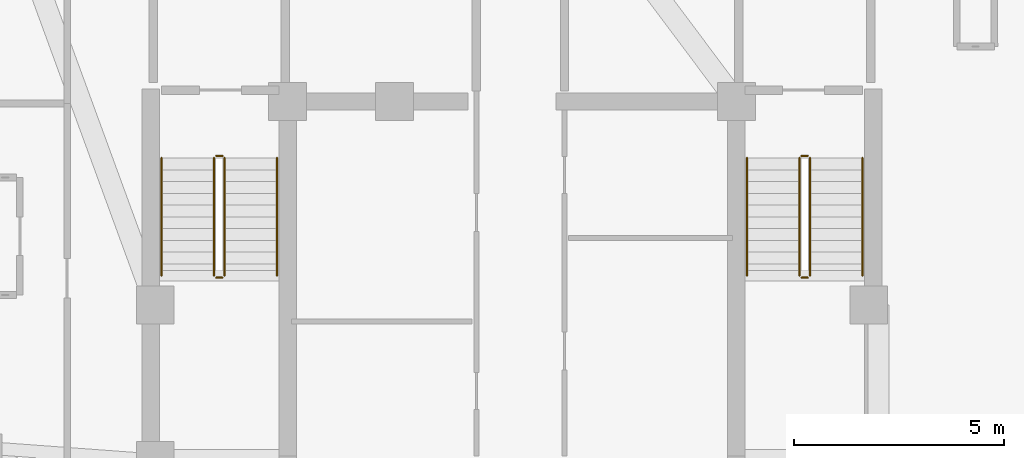
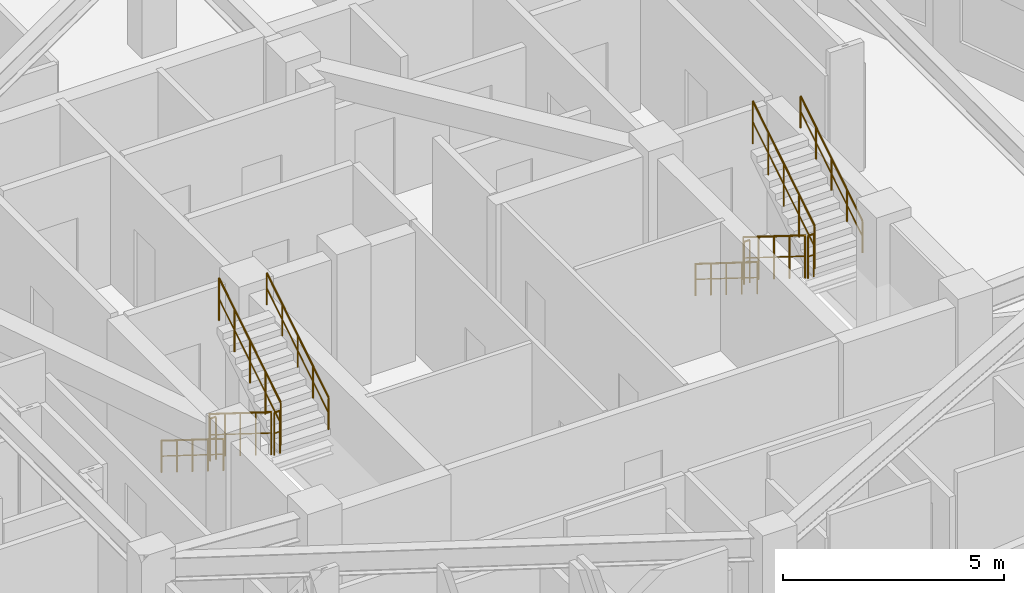
# One storey, part 13 of 13: 12 railings.
"""IFC4 building model written with IfcOpenShell, lengths in metres."""

from ifc_helpers import new_model, si_unit, direction, frame, origin, origin_2d, place, context, subcontext, project, spatial, circle, extrude, material, type_object, element, save


model = new_model("IFC4")

# Units and contexts
model_context = context("Model", 3, precision=1e-05, world=origin(), true_north=direction((0.0, 1.0)))
body_context = subcontext(model_context, "Body", "Model", "MODEL_VIEW")
ifc_project = project(units=[si_unit("LENGTHUNIT", "METRE"), si_unit("AREAUNIT", "SQUARE_METRE"), si_unit("VOLUMEUNIT", "CUBIC_METRE"), si_unit("PLANEANGLEUNIT", "RADIAN"), si_unit("MASSUNIT", "GRAM", prefix="KILO")], contexts=[model_context])

# Site, building, storey
site_placement = place(None, origin())
site = spatial("IfcSite", under=ifc_project, at=site_placement, CompositionType="ELEMENT")
building_placement = place(site_placement, origin())
building = spatial("IfcBuilding", under=site, at=building_placement, Name="Miruveldt Soraemaru", CompositionType="ELEMENT")
storey_placement = place(building_placement, frame((0.0, 0.0, 259.699951171875)))
storey = spatial("IfcBuildingStorey", under=building, at=storey_placement, Name="L71", CompositionType="ELEMENT", Elevation=259.699951171875)

# Railings
ifc_material = material(Name="Steel S355 (355 MPa)", Category="steel")
railing_type_1 = type_object("IfcRailingType", Name="RAIL-HR-900", PredefinedType="HANDRAIL", material=ifc_material)
railing_1_placement = place(storey_placement, frame((35.64990234375, 42.699951171875, 0.175048828125)))
element("IfcRailing", 1, at=railing_1_placement, inside=storey, type_object=railing_type_1, Name="L71 ST-1 stair handrail 1", PredefinedType="HANDRAIL", context=body_context, shape_type="SweptSolid", body=[
    extrude(circle(Radius=0.02392578125, at=origin_2d()), frame((0.0, 0.0, 0.8759765625), z_axis=(0.0, -0.848002457836, 0.529992293815), x_axis=(1.0, 0.0, 0.0)), (0.0, 0.0, 1.0), 3.302001953125),
    extrude(circle(Radius=0.01611328125, at=origin_2d()), frame((0.0, 0.0, 0.449951171875), z_axis=(0.0, -0.848002457836, 0.529992293815), x_axis=(1.0, 0.0, 0.0)), (0.0, 0.0, 1.0), 3.302001953125),
    extrude(circle(Radius=0.02099609375, at=origin_2d()), origin(), (0.0, 0.0, 1.0), 0.851806640625),
    extrude(circle(Radius=0.02099609375, at=origin_2d()), frame((0.0, -0.699951171875, 0.4375)), (0.0, 0.0, 1.0), 0.851806640625),
    extrude(circle(Radius=0.02099609375, at=origin_2d()), frame((0.0, -1.39990234375, 0.875)), (0.0, 0.0, 1.0), 0.851806640625),
    extrude(circle(Radius=0.02099609375, at=origin_2d()), frame((0.0, -2.10009765625, 1.3125)), (0.0, 0.0, 1.0), 0.851806640625),
    extrude(circle(Radius=0.02099609375, at=origin_2d()), frame((0.0, -2.800048828125, 1.75)), (0.0, 0.0, 1.0), 0.851806640625),
])
railing_2_placement = place(storey_placement, frame((38.39990234375, 39.89990234375, 2.10009765625)))
element("IfcRailing", 2, at=railing_2_placement, inside=storey, type_object=railing_type_1, Name="L71 ST-1 stair handrail 2", PredefinedType="HANDRAIL", context=body_context, shape_type="SweptSolid", body=[
    extrude(circle(Radius=0.02392578125, at=origin_2d()), frame((0.0, 0.0, 0.8759765625), z_axis=(0.0, 0.848002457836, 0.529992293815), x_axis=(-1.0, 0.0, 0.0)), (0.0, 0.0, 1.0), 3.302001953125),
    extrude(circle(Radius=0.01611328125, at=origin_2d()), frame((0.0, 0.0, 0.449951171875), z_axis=(0.0, 0.848002457836, 0.529992293815), x_axis=(-1.0, 0.0, 0.0)), (0.0, 0.0, 1.0), 3.302001953125),
    extrude(circle(Radius=0.02099609375, at=origin_2d()), origin(), (0.0, 0.0, 1.0), 0.851806640625),
    extrude(circle(Radius=0.02099609375, at=origin_2d()), frame((0.0, 0.699951171875, 0.4375)), (0.0, 0.0, 1.0), 0.851806640625),
    extrude(circle(Radius=0.02099609375, at=origin_2d()), frame((0.0, 1.39990234375, 0.875)), (0.0, 0.0, 1.0), 0.851806640625),
    extrude(circle(Radius=0.02099609375, at=origin_2d()), frame((0.0, 2.10009765625, 1.3125)), (0.0, 0.0, 1.0), 0.851806640625),
    extrude(circle(Radius=0.02099609375, at=origin_2d()), frame((0.0, 2.800048828125, 1.75)), (0.0, 0.0, 1.0), 0.851806640625),
])
railing_3_placement = place(storey_placement, frame((49.60009765625, 42.699951171875, 0.175048828125)))
element("IfcRailing", 3, at=railing_3_placement, inside=storey, type_object=railing_type_1, Name="L71 ST-2 stair handrail 1", PredefinedType="HANDRAIL", context=body_context, shape_type="SweptSolid", body=[
    extrude(circle(Radius=0.02392578125, at=origin_2d()), frame((0.0, 0.0, 0.8759765625), z_axis=(0.0, -0.848002457836, 0.529992293815), x_axis=(1.0, 0.0, 0.0)), (0.0, 0.0, 1.0), 3.302001953125),
    extrude(circle(Radius=0.01611328125, at=origin_2d()), frame((0.0, 0.0, 0.449951171875), z_axis=(0.0, -0.848002457836, 0.529992293815), x_axis=(1.0, 0.0, 0.0)), (0.0, 0.0, 1.0), 3.302001953125),
    extrude(circle(Radius=0.02099609375, at=origin_2d()), origin(), (0.0, 0.0, 1.0), 0.851806640625),
    extrude(circle(Radius=0.02099609375, at=origin_2d()), frame((0.0, -0.699951171875, 0.4375)), (0.0, 0.0, 1.0), 0.851806640625),
    extrude(circle(Radius=0.02099609375, at=origin_2d()), frame((0.0, -1.39990234375, 0.875)), (0.0, 0.0, 1.0), 0.851806640625),
    extrude(circle(Radius=0.02099609375, at=origin_2d()), frame((0.0, -2.10009765625, 1.3125)), (0.0, 0.0, 1.0), 0.851806640625),
    extrude(circle(Radius=0.02099609375, at=origin_2d()), frame((0.0, -2.800048828125, 1.75)), (0.0, 0.0, 1.0), 0.851806640625),
])
railing_4_placement = place(storey_placement, frame((52.35009765625, 39.89990234375, 2.10009765625)))
element("IfcRailing", 4, at=railing_4_placement, inside=storey, type_object=railing_type_1, Name="L71 ST-2 stair handrail 2", PredefinedType="HANDRAIL", context=body_context, shape_type="SweptSolid", body=[
    extrude(circle(Radius=0.02392578125, at=origin_2d()), frame((0.0, 0.0, 0.8759765625), z_axis=(0.0, 0.848002457836, 0.529992293815), x_axis=(-1.0, 0.0, 0.0)), (0.0, 0.0, 1.0), 3.302001953125),
    extrude(circle(Radius=0.01611328125, at=origin_2d()), frame((0.0, 0.0, 0.449951171875), z_axis=(0.0, 0.848002457836, 0.529992293815), x_axis=(-1.0, 0.0, 0.0)), (0.0, 0.0, 1.0), 3.302001953125),
    extrude(circle(Radius=0.02099609375, at=origin_2d()), origin(), (0.0, 0.0, 1.0), 0.851806640625),
    extrude(circle(Radius=0.02099609375, at=origin_2d()), frame((0.0, 0.699951171875, 0.4375)), (0.0, 0.0, 1.0), 0.851806640625),
    extrude(circle(Radius=0.02099609375, at=origin_2d()), frame((0.0, 1.39990234375, 0.875)), (0.0, 0.0, 1.0), 0.851806640625),
    extrude(circle(Radius=0.02099609375, at=origin_2d()), frame((0.0, 2.10009765625, 1.3125)), (0.0, 0.0, 1.0), 0.851806640625),
    extrude(circle(Radius=0.02099609375, at=origin_2d()), frame((0.0, 2.800048828125, 1.75)), (0.0, 0.0, 1.0), 0.851806640625),
])
railing_type_2 = type_object("IfcRailingType", Name="RAIL-STGUARD-1200", PredefinedType="GUARDRAIL", material=ifc_material)
railing_5_placement = place(storey_placement, frame((36.89990234375, 42.699951171875, 0.175048828125)))
element("IfcRailing", 5, at=railing_5_placement, inside=storey, type_object=railing_type_2, Name="L71 ST-1 stair guard 1", PredefinedType="GUARDRAIL", context=body_context, shape_type="SweptSolid", body=[
    extrude(circle(Radius=0.02392578125, at=origin_2d()), frame((0.0, 0.0, 1.17578125), z_axis=(0.0, -0.848002457836, 0.529992293815), x_axis=(1.0, 0.0, 0.0)), (0.0, 0.0, 1.0), 3.302001953125),
    extrude(circle(Radius=0.01611328125, at=origin_2d()), frame((0.0, 0.0, 0.60009765625), z_axis=(0.0, -0.848002457836, 0.529992293815), x_axis=(1.0, 0.0, 0.0)), (0.0, 0.0, 1.0), 3.302001953125),
    extrude(circle(Radius=0.02099609375, at=origin_2d()), origin(), (0.0, 0.0, 1.0), 1.15185546875),
    extrude(circle(Radius=0.02099609375, at=origin_2d()), frame((0.0, -0.699951171875, 0.4375)), (0.0, 0.0, 1.0), 1.15185546875),
    extrude(circle(Radius=0.02099609375, at=origin_2d()), frame((0.0, -1.39990234375, 0.875)), (0.0, 0.0, 1.0), 1.15185546875),
    extrude(circle(Radius=0.02099609375, at=origin_2d()), frame((0.0, -2.10009765625, 1.3125)), (0.0, 0.0, 1.0), 1.15185546875),
    extrude(circle(Radius=0.02099609375, at=origin_2d()), frame((0.0, -2.800048828125, 1.75)), (0.0, 0.0, 1.0), 1.15185546875),
])
railing_6_placement = place(storey_placement, frame((36.949951171875, 39.85009765625, 1.925048828125)))
element("IfcRailing", 6, at=railing_6_placement, inside=storey, type_object=railing_type_2, Name="L71 ST-1 stair guard 2", PredefinedType="GUARDRAIL", context=body_context, shape_type="SweptSolid", body=[
    extrude(circle(Radius=0.02392578125, at=origin_2d()), frame((0.0, 0.0, 1.17578125), z_axis=(1.0, 0.0, 0.0), x_axis=(0.0, 1.0, 0.0)), (0.0, 0.0, 1.0), 0.150146484375),
    extrude(circle(Radius=0.01611328125, at=origin_2d()), frame((0.0, 0.0, 0.60009765625), z_axis=(1.0, 0.0, 0.0), x_axis=(0.0, 1.0, 0.0)), (0.0, 0.0, 1.0), 0.150146484375),
    extrude(circle(Radius=0.02099609375, at=origin_2d()), origin(), (0.0, 0.0, 1.0), 1.15185546875),
    extrude(circle(Radius=0.02099609375, at=origin_2d()), frame((0.150146484375, 0.0, 0.0)), (0.0, 0.0, 1.0), 1.15185546875),
])
railing_7_placement = place(storey_placement, frame((37.14990234375, 39.89990234375, 2.10009765625)))
element("IfcRailing", 7, at=railing_7_placement, inside=storey, type_object=railing_type_2, Name="L71 ST-1 stair guard 3", PredefinedType="GUARDRAIL", context=body_context, shape_type="SweptSolid", body=[
    extrude(circle(Radius=0.02392578125, at=origin_2d()), frame((0.0, 0.0, 1.17578125), z_axis=(0.0, 0.848002457836, 0.529992293815), x_axis=(-1.0, 0.0, 0.0)), (0.0, 0.0, 1.0), 3.302001953125),
    extrude(circle(Radius=0.01611328125, at=origin_2d()), frame((0.0, 0.0, 0.60009765625), z_axis=(0.0, 0.848002457836, 0.529992293815), x_axis=(-1.0, 0.0, 0.0)), (0.0, 0.0, 1.0), 3.302001953125),
    extrude(circle(Radius=0.02099609375, at=origin_2d()), origin(), (0.0, 0.0, 1.0), 1.15185546875),
    extrude(circle(Radius=0.02099609375, at=origin_2d()), frame((0.0, 0.699951171875, 0.4375)), (0.0, 0.0, 1.0), 1.15185546875),
    extrude(circle(Radius=0.02099609375, at=origin_2d()), frame((0.0, 1.39990234375, 0.875)), (0.0, 0.0, 1.0), 1.15185546875),
    extrude(circle(Radius=0.02099609375, at=origin_2d()), frame((0.0, 2.10009765625, 1.3125)), (0.0, 0.0, 1.0), 1.15185546875),
    extrude(circle(Radius=0.02099609375, at=origin_2d()), frame((0.0, 2.800048828125, 1.75)), (0.0, 0.0, 1.0), 1.15185546875),
])
railing_8_placement = place(storey_placement, frame((36.949951171875, 42.75, 0.0)))
element("IfcRailing", 8, at=railing_8_placement, inside=storey, type_object=railing_type_2, Name="L71 ST-1 stair guard 4", PredefinedType="GUARDRAIL", context=body_context, shape_type="SweptSolid", body=[
    extrude(circle(Radius=0.02392578125, at=origin_2d()), frame((0.0, 0.0, 1.17578125), z_axis=(1.0, 0.0, 0.0), x_axis=(0.0, 1.0, 0.0)), (0.0, 0.0, 1.0), 0.150146484375),
    extrude(circle(Radius=0.01611328125, at=origin_2d()), frame((0.0, 0.0, 0.60009765625), z_axis=(1.0, 0.0, 0.0), x_axis=(0.0, 1.0, 0.0)), (0.0, 0.0, 1.0), 0.150146484375),
    extrude(circle(Radius=0.02099609375, at=origin_2d()), origin(), (0.0, 0.0, 1.0), 1.15185546875),
    extrude(circle(Radius=0.02099609375, at=origin_2d()), frame((0.150146484375, 0.0, 0.0)), (0.0, 0.0, 1.0), 1.15185546875),
])
railing_9_placement = place(storey_placement, frame((50.85009765625, 42.699951171875, 0.175048828125)))
element("IfcRailing", 9, at=railing_9_placement, inside=storey, type_object=railing_type_2, Name="L71 ST-2 stair guard 1", PredefinedType="GUARDRAIL", context=body_context, shape_type="SweptSolid", body=[
    extrude(circle(Radius=0.02392578125, at=origin_2d()), frame((0.0, 0.0, 1.17578125), z_axis=(0.0, -0.848002457836, 0.529992293815), x_axis=(1.0, 0.0, 0.0)), (0.0, 0.0, 1.0), 3.302001953125),
    extrude(circle(Radius=0.01611328125, at=origin_2d()), frame((0.0, 0.0, 0.60009765625), z_axis=(0.0, -0.848002457836, 0.529992293815), x_axis=(1.0, 0.0, 0.0)), (0.0, 0.0, 1.0), 3.302001953125),
    extrude(circle(Radius=0.02099609375, at=origin_2d()), origin(), (0.0, 0.0, 1.0), 1.15185546875),
    extrude(circle(Radius=0.02099609375, at=origin_2d()), frame((0.0, -0.699951171875, 0.4375)), (0.0, 0.0, 1.0), 1.15185546875),
    extrude(circle(Radius=0.02099609375, at=origin_2d()), frame((0.0, -1.39990234375, 0.875)), (0.0, 0.0, 1.0), 1.15185546875),
    extrude(circle(Radius=0.02099609375, at=origin_2d()), frame((0.0, -2.10009765625, 1.3125)), (0.0, 0.0, 1.0), 1.15185546875),
    extrude(circle(Radius=0.02099609375, at=origin_2d()), frame((0.0, -2.800048828125, 1.75)), (0.0, 0.0, 1.0), 1.15185546875),
])
railing_10_placement = place(storey_placement, frame((50.89990234375, 39.85009765625, 1.925048828125)))
element("IfcRailing", 10, at=railing_10_placement, inside=storey, type_object=railing_type_2, Name="L71 ST-2 stair guard 2", PredefinedType="GUARDRAIL", context=body_context, shape_type="SweptSolid", body=[
    extrude(circle(Radius=0.02392578125, at=origin_2d()), frame((0.0, 0.0, 1.17578125), z_axis=(1.0, 0.0, 0.0), x_axis=(0.0, 1.0, 0.0)), (0.0, 0.0, 1.0), 0.150146484375),
    extrude(circle(Radius=0.01611328125, at=origin_2d()), frame((0.0, 0.0, 0.60009765625), z_axis=(1.0, 0.0, 0.0), x_axis=(0.0, 1.0, 0.0)), (0.0, 0.0, 1.0), 0.150146484375),
    extrude(circle(Radius=0.02099609375, at=origin_2d()), origin(), (0.0, 0.0, 1.0), 1.15185546875),
    extrude(circle(Radius=0.02099609375, at=origin_2d()), frame((0.150146484375, 0.0, 0.0)), (0.0, 0.0, 1.0), 1.15185546875),
])
railing_11_placement = place(storey_placement, frame((51.10009765625, 39.89990234375, 2.10009765625)))
element("IfcRailing", 11, at=railing_11_placement, inside=storey, type_object=railing_type_2, Name="L71 ST-2 stair guard 3", PredefinedType="GUARDRAIL", context=body_context, shape_type="SweptSolid", body=[
    extrude(circle(Radius=0.02392578125, at=origin_2d()), frame((0.0, 0.0, 1.17578125), z_axis=(0.0, 0.848002457836, 0.529992293815), x_axis=(-1.0, 0.0, 0.0)), (0.0, 0.0, 1.0), 3.302001953125),
    extrude(circle(Radius=0.01611328125, at=origin_2d()), frame((0.0, 0.0, 0.60009765625), z_axis=(0.0, 0.848002457836, 0.529992293815), x_axis=(-1.0, 0.0, 0.0)), (0.0, 0.0, 1.0), 3.302001953125),
    extrude(circle(Radius=0.02099609375, at=origin_2d()), origin(), (0.0, 0.0, 1.0), 1.15185546875),
    extrude(circle(Radius=0.02099609375, at=origin_2d()), frame((0.0, 0.699951171875, 0.4375)), (0.0, 0.0, 1.0), 1.15185546875),
    extrude(circle(Radius=0.02099609375, at=origin_2d()), frame((0.0, 1.39990234375, 0.875)), (0.0, 0.0, 1.0), 1.15185546875),
    extrude(circle(Radius=0.02099609375, at=origin_2d()), frame((0.0, 2.10009765625, 1.3125)), (0.0, 0.0, 1.0), 1.15185546875),
    extrude(circle(Radius=0.02099609375, at=origin_2d()), frame((0.0, 2.800048828125, 1.75)), (0.0, 0.0, 1.0), 1.15185546875),
])
railing_12_placement = place(storey_placement, frame((50.89990234375, 42.75, 0.0)))
element("IfcRailing", 12, at=railing_12_placement, inside=storey, type_object=railing_type_2, Name="L71 ST-2 stair guard 4", PredefinedType="GUARDRAIL", context=body_context, shape_type="SweptSolid", body=[
    extrude(circle(Radius=0.02392578125, at=origin_2d()), frame((0.0, 0.0, 1.17578125), z_axis=(1.0, 0.0, 0.0), x_axis=(0.0, 1.0, 0.0)), (0.0, 0.0, 1.0), 0.150146484375),
    extrude(circle(Radius=0.01611328125, at=origin_2d()), frame((0.0, 0.0, 0.60009765625), z_axis=(1.0, 0.0, 0.0), x_axis=(0.0, 1.0, 0.0)), (0.0, 0.0, 1.0), 0.150146484375),
    extrude(circle(Radius=0.02099609375, at=origin_2d()), origin(), (0.0, 0.0, 1.0), 1.15185546875),
    extrude(circle(Radius=0.02099609375, at=origin_2d()), frame((0.150146484375, 0.0, 0.0)), (0.0, 0.0, 1.0), 1.15185546875),
])

save(model, "model.ifc")
